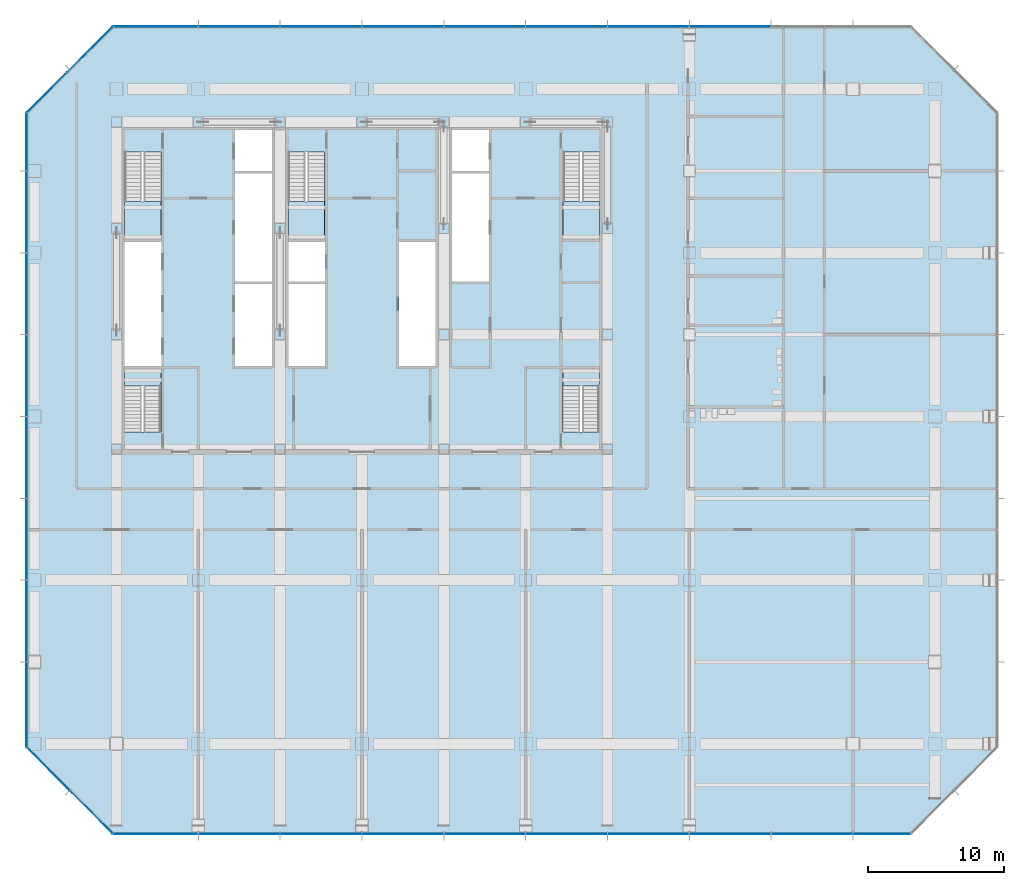
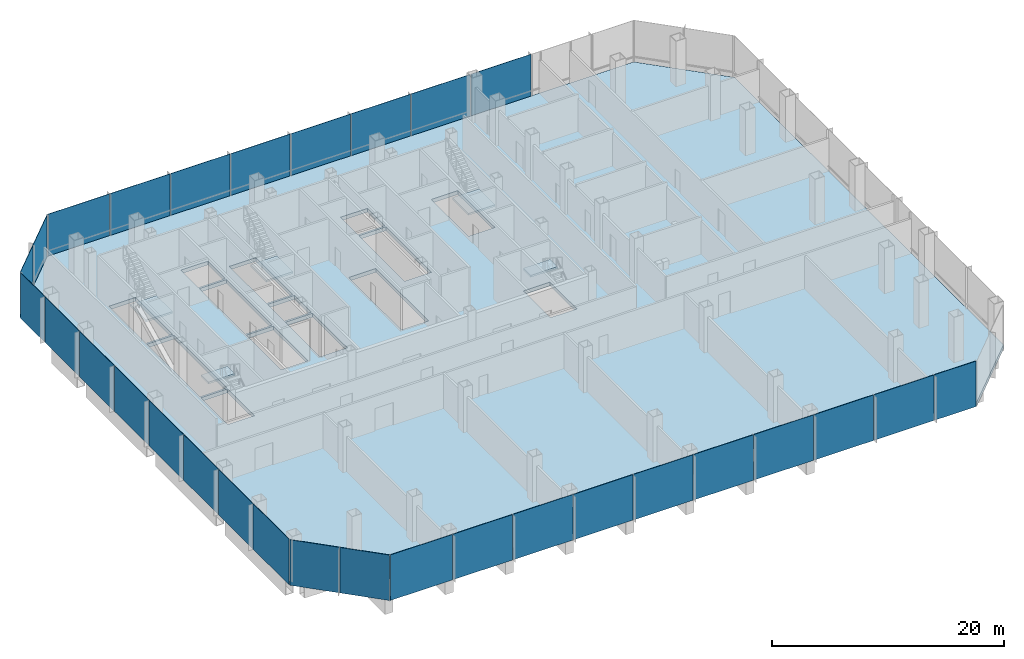
# One storey, part 19 of 34: 30 plates, 6 slabs, 10 elements without a shape of their own.
"""IFC4 building model written with IfcOpenShell, lengths in metres."""

from ifc_helpers import new_model, si_unit, direction, frame, origin, origin_2d, place, context, subcontext, project, spatial, polyline, rectangle, outline, extrude, material, layer, layer_set, type_object, element, aggregate, save


model = new_model("IFC4")

# Units and contexts
model_context = context("Model", 3, precision=1e-05, world=origin(), true_north=direction((0.0, 1.0)))
body_context = subcontext(model_context, "Body", "Model", "MODEL_VIEW")
ifc_project = project(units=[si_unit("LENGTHUNIT", "METRE"), si_unit("AREAUNIT", "SQUARE_METRE"), si_unit("VOLUMEUNIT", "CUBIC_METRE"), si_unit("PLANEANGLEUNIT", "RADIAN"), si_unit("MASSUNIT", "GRAM", prefix="KILO")], contexts=[model_context])

# Site, building, storey
site_placement = place(None, origin())
site = spatial("IfcSite", under=ifc_project, at=site_placement, CompositionType="ELEMENT")
building_placement = place(site_placement, origin())
building = spatial("IfcBuilding", under=site, at=building_placement, Name="Sorahane Residences", CompositionType="ELEMENT")
storey_placement = place(building_placement, frame((0.0, 0.0, 20.39990234375)))
storey = spatial("IfcBuildingStorey", under=building, at=storey_placement, Name="L02", CompositionType="ELEMENT", Elevation=20.39990234375)

# Slab
ifc_material_1 = material(Name="Concrete C35", Category="concrete")
ifc_layer_1 = layer(ifc_material_1, 0.39990234375)
ifc_layer_set_1 = layer_set([ifc_layer_1], Name="Composite floor slab 400 mm Concrete C35")
slab_type_1 = type_object("IfcSlabType", Name="Composite floor slab 400 mm Concrete C35", PredefinedType="FLOOR", material=ifc_layer_set_1)
slab_1_placement = place(storey_placement, frame((0.0, 0.0, -0.39990234375)))
element("IfcSlab", 1, at=slab_1_placement, inside=storey, type_object=slab_type_1, Name="Slab L02", PredefinedType="FLOOR", context=body_context, shape_type="SweptSolid", body=[
    extrude(outline(polyline([(5.75146484375, -6.60009765625), (-0.60009765625, -0.24853515625), (-0.60009765625, 46.24853515625), (5.75146484375, 52.60009765625), (64.24853515625, 52.60009765625), (70.60009765625, 46.24853515625), (70.60009765625, -0.24853515625), (64.24853515625, -6.60009765625), (5.75146484375, -6.60009765625)]), holes=[polyline([(18.60009765625, 27.699951171875), (21.300048828125, 27.699951171875), (21.300048828125, 33.699951171875), (18.60009765625, 33.699951171875), (18.60009765625, 27.699951171875)]), polyline([(30.60009765625, 42.0), (33.300048828125, 42.0), (33.300048828125, 45.0), (30.60009765625, 45.0), (30.60009765625, 42.0)]), polyline([(14.699951171875, 27.699951171875), (17.39990234375, 27.699951171875), (17.39990234375, 33.699951171875), (14.699951171875, 33.699951171875), (14.699951171875, 27.699951171875)]), polyline([(14.699951171875, 42.0), (17.39990234375, 42.0), (17.39990234375, 45.0), (14.699951171875, 45.0), (14.699951171875, 42.0)]), polyline([(6.60009765625, 27.699951171875), (9.300048828125, 27.699951171875), (9.300048828125, 36.800048828125), (6.60009765625, 36.800048828125), (6.60009765625, 27.699951171875)]), polyline([(6.60009765625, 43.39990234375), (6.60009765625, 37.0), (9.25, 37.0), (9.25, 43.39990234375), (6.60009765625, 43.39990234375)]), polyline([(38.75, 43.39990234375), (38.75, 37.0), (41.39990234375, 37.0), (41.39990234375, 43.39990234375), (38.75, 43.39990234375)]), polyline([(18.60009765625, 43.39990234375), (18.60009765625, 37.0), (21.25, 37.0), (21.25, 43.39990234375), (18.60009765625, 43.39990234375)]), polyline([(9.25, 22.85009765625), (9.25, 27.5), (6.60009765625, 27.5), (6.60009765625, 22.85009765625), (9.25, 22.85009765625)]), polyline([(41.39990234375, 22.85009765625), (41.39990234375, 27.5), (38.75, 27.5), (38.75, 22.85009765625), (41.39990234375, 22.85009765625)]), polyline([(14.699951171875, 33.89990234375), (17.39990234375, 33.89990234375), (17.39990234375, 41.800048828125), (14.699951171875, 41.800048828125), (14.699951171875, 33.89990234375)]), polyline([(30.60009765625, 33.89990234375), (33.300048828125, 33.89990234375), (33.300048828125, 41.800048828125), (30.60009765625, 41.800048828125), (30.60009765625, 33.89990234375)]), polyline([(18.60009765625, 33.89990234375), (21.300048828125, 33.89990234375), (21.300048828125, 36.800048828125), (18.60009765625, 36.800048828125), (18.60009765625, 33.89990234375)]), polyline([(26.699951171875, 27.699951171875), (29.39990234375, 27.699951171875), (29.39990234375, 36.800048828125), (26.699951171875, 36.800048828125), (26.699951171875, 27.699951171875)])]), origin(), (0.0, 0.0, 1.0), 0.39990234375),
])

# Curtain wall, plates
ifc_material_2 = material(Name="Dark low-e glass and black anodised aluminium", Category="aluminium")
curtain_wall_type = type_object("IfcCurtainWallType", Name="Curtain wall CW-3 Podium unitised wall", PredefinedType="NOTDEFINED", material=ifc_material_2)
curtain_wall_1_placement = place(storey_placement, origin())
curtain_wall_1 = element("IfcCurtainWall", 2, at=curtain_wall_1_placement, inside=storey, type_object=curtain_wall_type, Name="CW-3 curtain wall L02 S1", PredefinedType="NOTDEFINED")
ifc_material_3 = material(Name="Dark low-e glass with black ceramic frit", Category="glass")
ifc_layer_2 = layer(ifc_material_3, 0.0400390625)
ifc_layer_set_2 = layer_set([ifc_layer_2], Name="Curtain wall glass panel dark low-e podium with black frit spandrel band")
plate_type = type_object("IfcPlateType", Name="Curtain wall glass panel dark low-e podium with black frit spandrel band", PredefinedType="CURTAIN_PANEL", material=ifc_layer_set_2)
plate_1_placement = place(storey_placement, frame((8.88818359375, -6.60009765625, -0.39990234375), z_axis=(0.0, 0.0, 1.0), x_axis=(1.0, 0.0, 0.0)))
plate_1 = element("IfcPlate", 3, at=plate_1_placement, type_object=plate_type, Name="CW-3 glass panel L02 S1.1", PredefinedType="CURTAIN_PANEL", context=body_context, shape_type="SweptSolid", body=[
    extrude(rectangle(XDim=6.173583984375, YDim=0.0400390625, at=origin_2d()), origin(), (0.0, 0.0, 1.0), 4.800048828125),
])
plate_2_placement = place(storey_placement, frame((15.0, -6.60009765625, -0.39990234375), z_axis=(0.0, 0.0, 1.0), x_axis=(1.0, 0.0, 0.0)))
plate_2 = element("IfcPlate", 4, at=plate_2_placement, type_object=plate_type, Name="CW-3 glass panel L02 S1.2", PredefinedType="CURTAIN_PANEL", context=body_context, shape_type="SweptSolid", body=[
    extrude(rectangle(XDim=5.949951171875, YDim=0.0400390625, at=origin_2d()), origin(), (0.0, 0.0, 1.0), 4.800048828125),
])
plate_3_placement = place(storey_placement, frame((21.0, -6.60009765625, -0.39990234375), z_axis=(0.0, 0.0, 1.0), x_axis=(1.0, 0.0, 0.0)))
plate_3 = element("IfcPlate", 5, at=plate_3_placement, type_object=plate_type, Name="CW-3 glass panel L02 S1.3", PredefinedType="CURTAIN_PANEL", context=body_context, shape_type="SweptSolid", body=[
    extrude(rectangle(XDim=5.949951171875, YDim=0.0400390625, at=origin_2d()), origin(), (0.0, 0.0, 1.0), 4.800048828125),
])
plate_4_placement = place(storey_placement, frame((27.0, -6.60009765625, -0.39990234375), z_axis=(0.0, 0.0, 1.0), x_axis=(1.0, 0.0, 0.0)))
plate_4 = element("IfcPlate", 6, at=plate_4_placement, type_object=plate_type, Name="CW-3 glass panel L02 S1.4", PredefinedType="CURTAIN_PANEL", context=body_context, shape_type="SweptSolid", body=[
    extrude(rectangle(XDim=5.949951171875, YDim=0.0400390625, at=origin_2d()), origin(), (0.0, 0.0, 1.0), 4.800048828125),
])
plate_5_placement = place(storey_placement, frame((33.0, -6.60009765625, -0.39990234375), z_axis=(0.0, 0.0, 1.0), x_axis=(1.0, 0.0, 0.0)))
plate_5 = element("IfcPlate", 7, at=plate_5_placement, type_object=plate_type, Name="CW-3 glass panel L02 S1.5", PredefinedType="CURTAIN_PANEL", context=body_context, shape_type="SweptSolid", body=[
    extrude(rectangle(XDim=5.949951171875, YDim=0.0400390625, at=origin_2d()), origin(), (0.0, 0.0, 1.0), 4.800048828125),
])
plate_6_placement = place(storey_placement, frame((39.0, -6.60009765625, -0.39990234375), z_axis=(0.0, 0.0, 1.0), x_axis=(1.0, 0.0, 0.0)))
plate_6 = element("IfcPlate", 8, at=plate_6_placement, type_object=plate_type, Name="CW-3 glass panel L02 S1.6", PredefinedType="CURTAIN_PANEL", context=body_context, shape_type="SweptSolid", body=[
    extrude(rectangle(XDim=5.949951171875, YDim=0.0400390625, at=origin_2d()), origin(), (0.0, 0.0, 1.0), 4.800048828125),
])
plate_7_placement = place(storey_placement, frame((45.0, -6.60009765625, -0.39990234375), z_axis=(0.0, 0.0, 1.0), x_axis=(1.0, 0.0, 0.0)))
plate_7 = element("IfcPlate", 9, at=plate_7_placement, type_object=plate_type, Name="CW-3 glass panel L02 S1.7", PredefinedType="CURTAIN_PANEL", context=body_context, shape_type="SweptSolid", body=[
    extrude(rectangle(XDim=5.949951171875, YDim=0.0400390625, at=origin_2d()), origin(), (0.0, 0.0, 1.0), 4.800048828125),
])
plate_8_placement = place(storey_placement, frame((51.0, -6.60009765625, -0.39990234375), z_axis=(0.0, 0.0, 1.0), x_axis=(1.0, 0.0, 0.0)))
plate_8 = element("IfcPlate", 10, at=plate_8_placement, type_object=plate_type, Name="CW-3 glass panel L02 S1.8", PredefinedType="CURTAIN_PANEL", context=body_context, shape_type="SweptSolid", body=[
    extrude(rectangle(XDim=5.949951171875, YDim=0.0400390625, at=origin_2d()), origin(), (0.0, 0.0, 1.0), 4.800048828125),
])
plate_9_placement = place(storey_placement, frame((57.0, -6.60009765625, -0.39990234375), z_axis=(0.0, 0.0, 1.0), x_axis=(1.0, 0.0, 0.0)))
plate_9 = element("IfcPlate", 11, at=plate_9_placement, type_object=plate_type, Name="CW-3 glass panel L02 S1.9", PredefinedType="CURTAIN_PANEL", context=body_context, shape_type="SweptSolid", body=[
    extrude(rectangle(XDim=5.949951171875, YDim=0.0400390625, at=origin_2d()), origin(), (0.0, 0.0, 1.0), 4.800048828125),
])
plate_10_placement = place(storey_placement, frame((62.11181640625, -6.60009765625, -0.39990234375), z_axis=(0.0, 0.0, 1.0), x_axis=(1.0, 0.0, 0.0)))
plate_10 = element("IfcPlate", 12, at=plate_10_placement, type_object=plate_type, Name="CW-3 glass panel L02 S1.10", PredefinedType="CURTAIN_PANEL", context=body_context, shape_type="SweptSolid", body=[
    extrude(rectangle(XDim=4.173583984375, YDim=0.0400390625, at=origin_2d()), origin(), (0.0, 0.0, 1.0), 4.800048828125),
])
aggregate(curtain_wall_1, [plate_1, plate_2, plate_3, plate_4, plate_5, plate_6, plate_7, plate_8, plate_9, plate_10])

curtain_wall_2_placement = place(storey_placement, origin())
curtain_wall_2 = element("IfcCurtainWall", 13, at=curtain_wall_2_placement, inside=storey, type_object=curtain_wall_type, Name="CW-3 curtain wall L02 N1", PredefinedType="NOTDEFINED")
plate_11_placement = place(storey_placement, frame((51.0, 52.60009765625, -0.39990234375), z_axis=(0.0, 0.0, 1.0), x_axis=(-1.0, 0.0, 0.0)))
plate_11 = element("IfcPlate", 14, at=plate_11_placement, type_object=plate_type, Name="CW-3 glass panel L02 N1.5", PredefinedType="CURTAIN_PANEL", context=body_context, shape_type="SweptSolid", body=[
    extrude(rectangle(XDim=5.949951171875, YDim=0.0400390625, at=origin_2d()), origin(), (0.0, 0.0, 1.0), 4.800048828125),
])
plate_12_placement = place(storey_placement, frame((45.0, 52.60009765625, -0.39990234375), z_axis=(0.0, 0.0, 1.0), x_axis=(-1.0, 0.0, 0.0)))
plate_12 = element("IfcPlate", 15, at=plate_12_placement, type_object=plate_type, Name="CW-3 glass panel L02 N1.6", PredefinedType="CURTAIN_PANEL", context=body_context, shape_type="SweptSolid", body=[
    extrude(rectangle(XDim=5.949951171875, YDim=0.0400390625, at=origin_2d()), origin(), (0.0, 0.0, 1.0), 4.800048828125),
])
plate_13_placement = place(storey_placement, frame((39.0, 52.60009765625, -0.39990234375), z_axis=(0.0, 0.0, 1.0), x_axis=(-1.0, 0.0, 0.0)))
plate_13 = element("IfcPlate", 16, at=plate_13_placement, type_object=plate_type, Name="CW-3 glass panel L02 N1.7", PredefinedType="CURTAIN_PANEL", context=body_context, shape_type="SweptSolid", body=[
    extrude(rectangle(XDim=5.949951171875, YDim=0.0400390625, at=origin_2d()), origin(), (0.0, 0.0, 1.0), 4.800048828125),
])
plate_14_placement = place(storey_placement, frame((33.0, 52.60009765625, -0.39990234375), z_axis=(0.0, 0.0, 1.0), x_axis=(-1.0, 0.0, 0.0)))
plate_14 = element("IfcPlate", 17, at=plate_14_placement, type_object=plate_type, Name="CW-3 glass panel L02 N1.8", PredefinedType="CURTAIN_PANEL", context=body_context, shape_type="SweptSolid", body=[
    extrude(rectangle(XDim=5.949951171875, YDim=0.0400390625, at=origin_2d()), origin(), (0.0, 0.0, 1.0), 4.800048828125),
])
plate_15_placement = place(storey_placement, frame((27.0, 52.60009765625, -0.39990234375), z_axis=(0.0, 0.0, 1.0), x_axis=(-1.0, 0.0, 0.0)))
plate_15 = element("IfcPlate", 18, at=plate_15_placement, type_object=plate_type, Name="CW-3 glass panel L02 N1.9", PredefinedType="CURTAIN_PANEL", context=body_context, shape_type="SweptSolid", body=[
    extrude(rectangle(XDim=5.949951171875, YDim=0.0400390625, at=origin_2d()), origin(), (0.0, 0.0, 1.0), 4.800048828125),
])
plate_16_placement = place(storey_placement, frame((21.0, 52.60009765625, -0.39990234375), z_axis=(0.0, 0.0, 1.0), x_axis=(-1.0, 0.0, 0.0)))
plate_16 = element("IfcPlate", 19, at=plate_16_placement, type_object=plate_type, Name="CW-3 glass panel L02 N1.10", PredefinedType="CURTAIN_PANEL", context=body_context, shape_type="SweptSolid", body=[
    extrude(rectangle(XDim=5.949951171875, YDim=0.0400390625, at=origin_2d()), origin(), (0.0, 0.0, 1.0), 4.800048828125),
])
plate_17_placement = place(storey_placement, frame((15.0, 52.60009765625, -0.39990234375), z_axis=(0.0, 0.0, 1.0), x_axis=(-1.0, 0.0, 0.0)))
plate_17 = element("IfcPlate", 20, at=plate_17_placement, type_object=plate_type, Name="CW-3 glass panel L02 N1.11", PredefinedType="CURTAIN_PANEL", context=body_context, shape_type="SweptSolid", body=[
    extrude(rectangle(XDim=5.949951171875, YDim=0.0400390625, at=origin_2d()), origin(), (0.0, 0.0, 1.0), 4.800048828125),
])
plate_18_placement = place(storey_placement, frame((8.88818359375, 52.60009765625, -0.39990234375), z_axis=(0.0, 0.0, 1.0), x_axis=(-1.0, 0.0, 0.0)))
plate_18 = element("IfcPlate", 21, at=plate_18_placement, type_object=plate_type, Name="CW-3 glass panel L02 N1.12", PredefinedType="CURTAIN_PANEL", context=body_context, shape_type="SweptSolid", body=[
    extrude(rectangle(XDim=6.173583984375, YDim=0.0400390625, at=origin_2d()), origin(), (0.0, 0.0, 1.0), 4.800048828125),
])
aggregate(curtain_wall_2, [plate_11, plate_12, plate_13, plate_14, plate_15, plate_16, plate_17, plate_18])

curtain_wall_3_placement = place(storey_placement, origin())
curtain_wall_3 = element("IfcCurtainWall", 22, at=curtain_wall_3_placement, inside=storey, type_object=curtain_wall_type, Name="CW-3 curtain wall L02 NW1", PredefinedType="NOTDEFINED")
plate_19_placement = place(storey_placement, frame((4.0546875, 50.9033203125, -0.39990234375), z_axis=(0.0, 0.0, 1.0), x_axis=(-0.707106781187, -0.707106781187, 0.0)))
plate_19 = element("IfcPlate", 23, at=plate_19_placement, type_object=plate_type, Name="CW-3 glass panel L02 NW1.1", PredefinedType="CURTAIN_PANEL", context=body_context, shape_type="SweptSolid", body=[
    extrude(rectangle(XDim=4.698974609375, YDim=0.0400390625, at=origin_2d()), origin(), (0.0, 0.0, 1.0), 4.800048828125),
])
plate_20_placement = place(storey_placement, frame((0.896728515625, 47.7451171875, -0.39990234375), z_axis=(0.0, 0.0, 1.0), x_axis=(-0.707106781187, -0.707106781187, 0.0)))
plate_20 = element("IfcPlate", 24, at=plate_20_placement, type_object=plate_type, Name="CW-3 glass panel L02 NW1.2", PredefinedType="CURTAIN_PANEL", context=body_context, shape_type="SweptSolid", body=[
    extrude(rectangle(XDim=4.13330078125, YDim=0.0400390625, at=origin_2d()), origin(), (0.0, 0.0, 1.0), 4.800048828125),
])
aggregate(curtain_wall_3, [plate_19, plate_20])

curtain_wall_4_placement = place(storey_placement, origin())
curtain_wall_4 = element("IfcCurtainWall", 25, at=curtain_wall_4_placement, inside=storey, type_object=curtain_wall_type, Name="CW-3 curtain wall L02 W1", PredefinedType="NOTDEFINED")
plate_21_placement = place(storey_placement, frame((-0.60009765625, 44.11181640625, -0.39990234375), z_axis=(0.0, 0.0, 1.0), x_axis=(0.0, -1.0, 0.0)))
plate_21 = element("IfcPlate", 26, at=plate_21_placement, type_object=plate_type, Name="CW-3 glass panel L02 W1.1", PredefinedType="CURTAIN_PANEL", context=body_context, shape_type="SweptSolid", body=[
    extrude(rectangle(XDim=4.173583984375, YDim=0.0400390625, at=origin_2d()), origin(), (0.0, 0.0, 1.0), 4.800048828125),
])
plate_22_placement = place(storey_placement, frame((-0.60009765625, 39.0, -0.39990234375), z_axis=(0.0, 0.0, 1.0), x_axis=(0.0, -1.0, 0.0)))
plate_22 = element("IfcPlate", 27, at=plate_22_placement, type_object=plate_type, Name="CW-3 glass panel L02 W1.2", PredefinedType="CURTAIN_PANEL", context=body_context, shape_type="SweptSolid", body=[
    extrude(rectangle(XDim=5.949951171875, YDim=0.0400390625, at=origin_2d()), origin(), (0.0, 0.0, 1.0), 4.800048828125),
])
plate_23_placement = place(storey_placement, frame((-0.60009765625, 33.0, -0.39990234375), z_axis=(0.0, 0.0, 1.0), x_axis=(0.0, -1.0, 0.0)))
plate_23 = element("IfcPlate", 28, at=plate_23_placement, type_object=plate_type, Name="CW-3 glass panel L02 W1.3", PredefinedType="CURTAIN_PANEL", context=body_context, shape_type="SweptSolid", body=[
    extrude(rectangle(XDim=5.949951171875, YDim=0.0400390625, at=origin_2d()), origin(), (0.0, 0.0, 1.0), 4.800048828125),
])
plate_24_placement = place(storey_placement, frame((-0.60009765625, 27.0, -0.39990234375), z_axis=(0.0, 0.0, 1.0), x_axis=(0.0, -1.0, 0.0)))
plate_24 = element("IfcPlate", 29, at=plate_24_placement, type_object=plate_type, Name="CW-3 glass panel L02 W1.4", PredefinedType="CURTAIN_PANEL", context=body_context, shape_type="SweptSolid", body=[
    extrude(rectangle(XDim=5.949951171875, YDim=0.0400390625, at=origin_2d()), origin(), (0.0, 0.0, 1.0), 4.800048828125),
])
plate_25_placement = place(storey_placement, frame((-0.60009765625, 21.0, -0.39990234375), z_axis=(0.0, 0.0, 1.0), x_axis=(0.0, -1.0, 0.0)))
plate_25 = element("IfcPlate", 30, at=plate_25_placement, type_object=plate_type, Name="CW-3 glass panel L02 W1.5", PredefinedType="CURTAIN_PANEL", context=body_context, shape_type="SweptSolid", body=[
    extrude(rectangle(XDim=5.949951171875, YDim=0.0400390625, at=origin_2d()), origin(), (0.0, 0.0, 1.0), 4.800048828125),
])
plate_26_placement = place(storey_placement, frame((-0.60009765625, 15.0, -0.39990234375), z_axis=(0.0, 0.0, 1.0), x_axis=(0.0, -1.0, 0.0)))
plate_26 = element("IfcPlate", 31, at=plate_26_placement, type_object=plate_type, Name="CW-3 glass panel L02 W1.6", PredefinedType="CURTAIN_PANEL", context=body_context, shape_type="SweptSolid", body=[
    extrude(rectangle(XDim=5.949951171875, YDim=0.0400390625, at=origin_2d()), origin(), (0.0, 0.0, 1.0), 4.800048828125),
])
plate_27_placement = place(storey_placement, frame((-0.60009765625, 9.0, -0.39990234375), z_axis=(0.0, 0.0, 1.0), x_axis=(0.0, -1.0, 0.0)))
plate_27 = element("IfcPlate", 32, at=plate_27_placement, type_object=plate_type, Name="CW-3 glass panel L02 W1.7", PredefinedType="CURTAIN_PANEL", context=body_context, shape_type="SweptSolid", body=[
    extrude(rectangle(XDim=5.949951171875, YDim=0.0400390625, at=origin_2d()), origin(), (0.0, 0.0, 1.0), 4.800048828125),
])
plate_28_placement = place(storey_placement, frame((-0.60009765625, 2.88818359375, -0.39990234375), z_axis=(0.0, 0.0, 1.0), x_axis=(0.0, -1.0, 0.0)))
plate_28 = element("IfcPlate", 33, at=plate_28_placement, type_object=plate_type, Name="CW-3 glass panel L02 W1.8", PredefinedType="CURTAIN_PANEL", context=body_context, shape_type="SweptSolid", body=[
    extrude(rectangle(XDim=6.173583984375, YDim=0.0400390625, at=origin_2d()), origin(), (0.0, 0.0, 1.0), 4.800048828125),
])
aggregate(curtain_wall_4, [plate_21, plate_22, plate_23, plate_24, plate_25, plate_26, plate_27, plate_28])

curtain_wall_5_placement = place(storey_placement, origin())
curtain_wall_5 = element("IfcCurtainWall", 34, at=curtain_wall_5_placement, inside=storey, type_object=curtain_wall_type, Name="CW-3 curtain wall L02 SW1", PredefinedType="NOTDEFINED")
plate_29_placement = place(storey_placement, frame((0.996826171875, -1.84521484375, -0.39990234375), z_axis=(0.0, 0.0, 1.0), x_axis=(0.707106781187, -0.707106781187, 0.0)))
plate_29 = element("IfcPlate", 35, at=plate_29_placement, type_object=plate_type, Name="CW-3 glass panel L02 SW1.1", PredefinedType="CURTAIN_PANEL", context=body_context, shape_type="SweptSolid", body=[
    extrude(rectangle(XDim=4.416259765625, YDim=0.0400390625, at=origin_2d()), origin(), (0.0, 0.0, 1.0), 4.800048828125),
])
plate_30_placement = place(storey_placement, frame((4.15478515625, -5.003173828125, -0.39990234375), z_axis=(0.0, 0.0, 1.0), x_axis=(0.707106781187, -0.707106781187, 0.0)))
plate_30 = element("IfcPlate", 36, at=plate_30_placement, type_object=plate_type, Name="CW-3 glass panel L02 SW1.2", PredefinedType="CURTAIN_PANEL", context=body_context, shape_type="SweptSolid", body=[
    extrude(rectangle(XDim=4.416259765625, YDim=0.0400390625, at=origin_2d()), origin(), (0.0, 0.0, 1.0), 4.800048828125),
])
aggregate(curtain_wall_5, [plate_29, plate_30])

# Stair, slab
ifc_material_4 = material(Name="Concrete C40", Category="concrete")
stair_type = type_object("IfcStairType", Name="Dog-leg stair 1250 Concrete C40", PredefinedType="HALF_TURN_STAIR", material=ifc_material_4)
stair_1_placement = place(storey_placement, origin())
stair_1 = element("IfcStair", 37, at=stair_1_placement, inside=storey, type_object=stair_type, Name="L02 Stair S1", PredefinedType="HALF_TURN_STAIR")
ifc_material_5 = material(Name="Concrete C40", Category="concrete")
ifc_layer_3 = layer(ifc_material_5, 0.199951171875)
ifc_layer_set_3 = layer_set([ifc_layer_3], Name="Stair landing 200 Concrete C40")
slab_type_2 = type_object("IfcSlabType", Name="Stair landing 200 Concrete C40", PredefinedType="LANDING", material=ifc_layer_set_3)
slab_2_placement = place(storey_placement, frame((0.0, 0.0, 2.2001953125)))
slab_2 = element("IfcSlab", 38, at=slab_2_placement, type_object=slab_type_2, Name="S1 landing 1", PredefinedType="LANDING", context=body_context, shape_type="SweptSolid", body=[
    extrude(outline(polyline([(6.60009765625, 39.760009765625), (6.60009765625, 37.0), (9.25, 37.0), (9.25, 39.760009765625), (6.60009765625, 39.760009765625)])), origin(), (0.0, 0.0, 1.0), 0.199951171875),
])
aggregate(stair_1, [slab_2])

stair_2_placement = place(storey_placement, origin())
stair_2 = element("IfcStair", 39, at=stair_2_placement, inside=storey, type_object=stair_type, Name="L02 Stair S2", PredefinedType="HALF_TURN_STAIR")
slab_3_placement = place(storey_placement, frame((0.0, 0.0, 2.2001953125)))
slab_3 = element("IfcSlab", 40, at=slab_3_placement, type_object=slab_type_2, Name="S2 landing 1", PredefinedType="LANDING", context=body_context, shape_type="SweptSolid", body=[
    extrude(outline(polyline([(38.75, 39.760009765625), (38.75, 37.0), (41.39990234375, 37.0), (41.39990234375, 39.760009765625), (38.75, 39.760009765625)])), origin(), (0.0, 0.0, 1.0), 0.199951171875),
])
aggregate(stair_2, [slab_3])

stair_3_placement = place(storey_placement, origin())
stair_3 = element("IfcStair", 41, at=stair_3_placement, inside=storey, type_object=stair_type, Name="L02 Stair S3", PredefinedType="HALF_TURN_STAIR")
slab_4_placement = place(storey_placement, frame((0.0, 0.0, 2.2001953125)))
slab_4 = element("IfcSlab", 42, at=slab_4_placement, type_object=slab_type_2, Name="S3 landing 1", PredefinedType="LANDING", context=body_context, shape_type="SweptSolid", body=[
    extrude(outline(polyline([(18.60009765625, 39.760009765625), (18.60009765625, 37.0), (21.25, 37.0), (21.25, 39.760009765625), (18.60009765625, 39.760009765625)])), origin(), (0.0, 0.0, 1.0), 0.199951171875),
])
aggregate(stair_3, [slab_4])

stair_4_placement = place(storey_placement, origin())
stair_4 = element("IfcStair", 43, at=stair_4_placement, inside=storey, type_object=stair_type, Name="L02 Stair S4", PredefinedType="HALF_TURN_STAIR")
slab_5_placement = place(storey_placement, frame((0.0, 0.0, 2.2001953125)))
slab_5 = element("IfcSlab", 44, at=slab_5_placement, type_object=slab_type_2, Name="S4 landing 1", PredefinedType="LANDING", context=body_context, shape_type="SweptSolid", body=[
    extrude(outline(polyline([(9.25, 26.22998046875), (9.25, 27.5), (6.60009765625, 27.5), (6.60009765625, 26.22998046875), (9.25, 26.22998046875)])), origin(), (0.0, 0.0, 1.0), 0.199951171875),
])
aggregate(stair_4, [slab_5])

stair_5_placement = place(storey_placement, origin())
stair_5 = element("IfcStair", 45, at=stair_5_placement, inside=storey, type_object=stair_type, Name="L02 Stair S5", PredefinedType="HALF_TURN_STAIR")
slab_6_placement = place(storey_placement, frame((0.0, 0.0, 2.2001953125)))
slab_6 = element("IfcSlab", 46, at=slab_6_placement, type_object=slab_type_2, Name="S5 landing 1", PredefinedType="LANDING", context=body_context, shape_type="SweptSolid", body=[
    extrude(outline(polyline([(41.39990234375, 26.22998046875), (41.39990234375, 27.5), (38.75, 27.5), (38.75, 26.22998046875), (41.39990234375, 26.22998046875)])), origin(), (0.0, 0.0, 1.0), 0.199951171875),
])
aggregate(stair_5, [slab_6])

save(model, "model.ifc")
